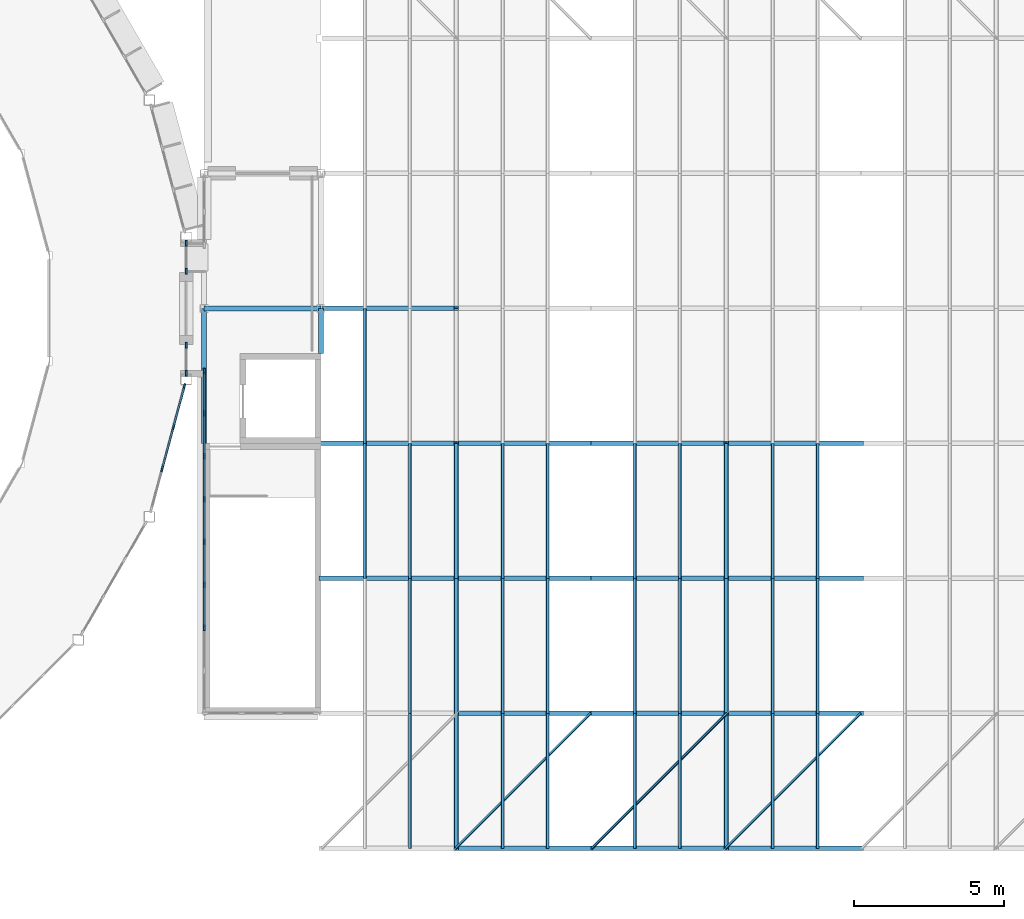
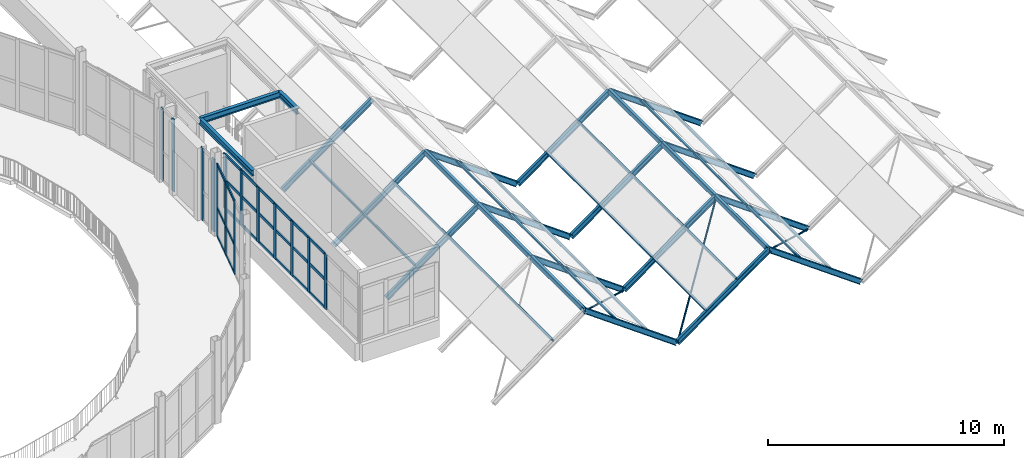
# One storey, part 21 of 74: 70 members, 18 beams, 4 elements without a shape of their own.
"""IFC4 building model written with IfcOpenShell, lengths in metres."""

from ifc_helpers import new_model, si_unit, direction, frame, origin, origin_2d, place, context, subcontext, project, spatial, rectangle, hollow_rectangle, hollow_circle, i_section, extrude, material, layer, layer_set, material_profile, profile_set, type_object, element, aggregate, save


model = new_model("IFC4")

# Units and contexts
model_context = context("Model", 3, precision=1e-05, world=origin(), true_north=direction((0.0, 1.0)))
body_context = subcontext(model_context, "Body", "Model", "MODEL_VIEW")
ifc_project = project(units=[si_unit("LENGTHUNIT", "METRE"), si_unit("AREAUNIT", "SQUARE_METRE"), si_unit("VOLUMEUNIT", "CUBIC_METRE"), si_unit("PLANEANGLEUNIT", "RADIAN"), si_unit("MASSUNIT", "GRAM", prefix="KILO")], contexts=[model_context])

# Site, building, storey
site_placement = place(None, origin())
site = spatial("IfcSite", under=ifc_project, at=site_placement, CompositionType="ELEMENT")
building_placement = place(site_placement, origin())
building = spatial("IfcBuilding", under=site, at=building_placement, Name="Hortulan Conservatory and Botanical Research Centre", CompositionType="ELEMENT")
storey_placement = place(building_placement, frame((0.0, 0.0, 6.0)))
storey = spatial("IfcBuildingStorey", under=building, at=storey_placement, Name="L01", CompositionType="ELEMENT", Elevation=6.0)

# Curtain wall, members
ifc_material_1 = material(Name="Bronze-finished aluminium", Category="aluminium")
ifc_layer = layer(ifc_material_1, 0.10009765625)
ifc_layer_set = layer_set([ifc_layer], Name="Bronze-framed Curtain Wall 1500 module")
curtain_wall_type = type_object("IfcCurtainWallType", Name="Bronze-framed Curtain Wall 1500 module", PredefinedType="NOTDEFINED", material=ifc_layer_set)
curtain_wall_1_placement = place(storey_placement, origin())
curtain_wall_1 = element("IfcCurtainWall", 1, at=curtain_wall_1_placement, inside=storey, type_object=curtain_wall_type, Name="Curtain wall", PredefinedType="NOTDEFINED")
ifc_material_profile_1 = material_profile(ifc_material_1, rectangle(XDim=0.06005859375, YDim=0.199951171875, at=origin_2d()), Name="Bronze Mullion 60x200")
ifc_profile_set_1 = profile_set([ifc_material_profile_1], Name="Bronze-finished aluminium")
member_type_1 = type_object("IfcMemberType", Name="Bronze Mullion 60x200", PredefinedType="MULLION", material=ifc_profile_set_1)
member_1_placement = place(storey_placement, frame((71.936767578125, 15.39404296875, 0.0), z_axis=(0.0, 0.0, 1.0), x_axis=(0.965922372015, -0.258831936284, 0.0)))
member_1 = element("IfcMember", 2, at=member_1_placement, type_object=member_type_1, Name="CW1 mullion 1", PredefinedType="MULLION", context=body_context, shape_type="SweptSolid", body=[
    extrude(rectangle(XDim=0.06005859375, YDim=0.199951171875, at=origin_2d()), origin(), (0.0, 0.0, 1.0), 3.75),
])
member_2_placement = place(storey_placement, frame((71.572509765625, 14.034912109375, 0.0), z_axis=(0.0, 0.0, 1.0), x_axis=(0.965922372015, -0.258831936284, 0.0)))
member_2 = element("IfcMember", 3, at=member_2_placement, type_object=member_type_1, Name="CW1 mullion 2", PredefinedType="MULLION", context=body_context, shape_type="SweptSolid", body=[
    extrude(rectangle(XDim=0.06005859375, YDim=0.199951171875, at=origin_2d()), origin(), (0.0, 0.0, 1.0), 3.75),
])
member_3_placement = place(storey_placement, frame((71.20068359375, 12.64697265625, 0.0), z_axis=(0.0, 0.0, 1.0), x_axis=(0.965922372015, -0.258831936284, 0.0)))
member_3 = element("IfcMember", 4, at=member_3_placement, type_object=member_type_1, Name="CW1 mullion 3", PredefinedType="MULLION", context=body_context, shape_type="SweptSolid", body=[
    extrude(rectangle(XDim=0.06005859375, YDim=0.199951171875, at=origin_2d()), origin(), (0.0, 0.0, 1.0), 3.75),
])

curtain_wall_2_placement = place(storey_placement, origin())
curtain_wall_2 = element("IfcCurtainWall", 5, at=curtain_wall_2_placement, inside=storey, type_object=curtain_wall_type, Name="Curtain wall", PredefinedType="NOTDEFINED")
member_4_placement = place(storey_placement, frame((72.0, 20.1650390625, 0.0), z_axis=(0.0, 0.0, 1.0), x_axis=(1.0, 0.0, 0.0)))
member_4 = element("IfcMember", 6, at=member_4_placement, type_object=member_type_1, Name="CW1 mullion 1", PredefinedType="MULLION", context=body_context, shape_type="SweptSolid", body=[
    extrude(rectangle(XDim=0.06005859375, YDim=0.199951171875, at=origin_2d()), origin(), (0.0, 0.0, 1.0), 3.75),
])
member_5_placement = place(storey_placement, frame((72.0, 19.22998046875, 0.0), z_axis=(0.0, 0.0, 1.0), x_axis=(1.0, 0.0, 0.0)))
member_5 = element("IfcMember", 7, at=member_5_placement, type_object=member_type_1, Name="CW1 mullion 2", PredefinedType="MULLION", context=body_context, shape_type="SweptSolid", body=[
    extrude(rectangle(XDim=0.06005859375, YDim=0.199951171875, at=origin_2d()), origin(), (0.0, 0.0, 1.0), 3.75),
])
aggregate(curtain_wall_2, [member_4, member_5])

curtain_wall_3_placement = place(storey_placement, origin())
curtain_wall_3 = element("IfcCurtainWall", 8, at=curtain_wall_3_placement, inside=storey, type_object=curtain_wall_type, Name="Curtain wall", PredefinedType="NOTDEFINED")
member_6_placement = place(storey_placement, frame((72.0, 16.77001953125, 0.0), z_axis=(0.0, 0.0, 1.0), x_axis=(1.0, 0.0, 0.0)))
member_6 = element("IfcMember", 9, at=member_6_placement, type_object=member_type_1, Name="CW1 mullion 1", PredefinedType="MULLION", context=body_context, shape_type="SweptSolid", body=[
    extrude(rectangle(XDim=0.06005859375, YDim=0.199951171875, at=origin_2d()), origin(), (0.0, 0.0, 1.0), 3.75),
])
member_7_placement = place(storey_placement, frame((72.0, 15.8349609375, 0.0), z_axis=(0.0, 0.0, 1.0), x_axis=(1.0, 0.0, 0.0)))
member_7 = element("IfcMember", 10, at=member_7_placement, type_object=member_type_1, Name="CW1 mullion 2", PredefinedType="MULLION", context=body_context, shape_type="SweptSolid", body=[
    extrude(rectangle(XDim=0.06005859375, YDim=0.199951171875, at=origin_2d()), origin(), (0.0, 0.0, 1.0), 3.75),
])
aggregate(curtain_wall_3, [member_6, member_7])

curtain_wall_4_placement = place(storey_placement, origin())
curtain_wall_4 = element("IfcCurtainWall", 11, at=curtain_wall_4_placement, inside=storey, type_object=curtain_wall_type, Name="Curtain wall", PredefinedType="NOTDEFINED")
member_8_placement = place(storey_placement, frame((72.60009765625, 7.357666015625, 0.89990234375), z_axis=(0.0, 0.0, 1.0), x_axis=(-1.0, 0.0, 0.0)))
member_8 = element("IfcMember", 12, at=member_8_placement, type_object=member_type_1, Name="CW1 mullion 3", PredefinedType="MULLION", context=body_context, shape_type="SweptSolid", body=[
    extrude(rectangle(XDim=0.06005859375, YDim=0.199951171875, at=origin_2d()), origin(), (0.0, 0.0, 1.0), 2.840087890625),
])
member_9_placement = place(storey_placement, frame((72.60009765625, 8.786376953125, 0.89990234375), z_axis=(0.0, 0.0, 1.0), x_axis=(-1.0, 0.0, 0.0)))
member_9 = element("IfcMember", 13, at=member_9_placement, type_object=member_type_1, Name="CW1 mullion 4", PredefinedType="MULLION", context=body_context, shape_type="SweptSolid", body=[
    extrude(rectangle(XDim=0.06005859375, YDim=0.199951171875, at=origin_2d()), origin(), (0.0, 0.0, 1.0), 2.840087890625),
])
member_10_placement = place(storey_placement, frame((72.60009765625, 10.215087890625, 0.89990234375), z_axis=(0.0, 0.0, 1.0), x_axis=(-1.0, 0.0, 0.0)))
member_10 = element("IfcMember", 14, at=member_10_placement, type_object=member_type_1, Name="CW1 mullion 5", PredefinedType="MULLION", context=body_context, shape_type="SweptSolid", body=[
    extrude(rectangle(XDim=0.06005859375, YDim=0.199951171875, at=origin_2d()), origin(), (0.0, 0.0, 1.0), 2.840087890625),
])
member_11_placement = place(storey_placement, frame((72.60009765625, 11.64404296875, 0.89990234375), z_axis=(0.0, 0.0, 1.0), x_axis=(-1.0, 0.0, 0.0)))
member_11 = element("IfcMember", 15, at=member_11_placement, type_object=member_type_1, Name="CW1 mullion 6", PredefinedType="MULLION", context=body_context, shape_type="SweptSolid", body=[
    extrude(rectangle(XDim=0.06005859375, YDim=0.199951171875, at=origin_2d()), origin(), (0.0, 0.0, 1.0), 2.840087890625),
])
member_12_placement = place(storey_placement, frame((72.60009765625, 13.07275390625, 0.89990234375), z_axis=(0.0, 0.0, 1.0), x_axis=(-1.0, 0.0, 0.0)))
member_12 = element("IfcMember", 16, at=member_12_placement, type_object=member_type_1, Name="CW1 mullion 7", PredefinedType="MULLION", context=body_context, shape_type="SweptSolid", body=[
    extrude(rectangle(XDim=0.06005859375, YDim=0.199951171875, at=origin_2d()), origin(), (0.0, 0.0, 1.0), 2.840087890625),
])
member_13_placement = place(storey_placement, frame((72.60009765625, 14.50146484375, 0.89990234375), z_axis=(0.0, 0.0, 1.0), x_axis=(-1.0, 0.0, 0.0)))
member_13 = element("IfcMember", 17, at=member_13_placement, type_object=member_type_1, Name="CW1 mullion 8", PredefinedType="MULLION", context=body_context, shape_type="SweptSolid", body=[
    extrude(rectangle(XDim=0.06005859375, YDim=0.199951171875, at=origin_2d()), origin(), (0.0, 0.0, 1.0), 2.840087890625),
])
member_14_placement = place(storey_placement, frame((72.60009765625, 15.900390625, 0.89990234375), z_axis=(0.0, 0.0, 1.0), x_axis=(-1.0, 0.0, 0.0)))
member_14 = element("IfcMember", 18, at=member_14_placement, type_object=member_type_1, Name="CW1 mullion 9", PredefinedType="MULLION", context=body_context, shape_type="SweptSolid", body=[
    extrude(rectangle(XDim=0.06005859375, YDim=0.199951171875, at=origin_2d()), origin(), (0.0, 0.0, 1.0), 2.840087890625),
])

# Member
ifc_material_profile_2 = material_profile(ifc_material_1, rectangle(XDim=0.06005859375, YDim=0.14990234375, at=origin_2d()), Name="Bronze Transom 60x150")
ifc_profile_set_2 = profile_set([ifc_material_profile_2], Name="Bronze-finished aluminium")
member_type_2 = type_object("IfcMemberType", Name="Bronze Transom 60x150", PredefinedType="USERDEFINED", material=ifc_profile_set_2)
member_15_placement = place(storey_placement, frame((71.928955078125, 15.364990234375, 0.030029296875), z_axis=(-0.258835745824, -0.965921351189, 0.0), x_axis=(0.965921351189, -0.258835745824, 0.0)))
member_15 = element("IfcMember", 19, at=member_15_placement, type_object=member_type_2, Name="CW1 transom 1.1", ObjectType="TRANSOM", PredefinedType="USERDEFINED", context=body_context, shape_type="SweptSolid", body=[
    extrude(rectangle(XDim=0.06005859375, YDim=0.14990234375, at=origin_2d()), origin(), (0.0, 0.0, 1.0), 1.346923828125),
])

member_16_placement = place(storey_placement, frame((71.928955078125, 15.364990234375, 1.5), z_axis=(-0.258835745824, -0.965921351189, 0.0), x_axis=(0.965921351189, -0.258835745824, 0.0)))
member_16 = element("IfcMember", 20, at=member_16_placement, type_object=member_type_2, Name="CW1 transom 1.2", ObjectType="TRANSOM", PredefinedType="USERDEFINED", context=body_context, shape_type="SweptSolid", body=[
    extrude(rectangle(XDim=0.06005859375, YDim=0.14990234375, at=origin_2d()), origin(), (0.0, 0.0, 1.0), 1.346923828125),
])

member_17_placement = place(storey_placement, frame((71.928955078125, 15.364990234375, 3.719970703125), z_axis=(-0.258835745824, -0.965921351189, 0.0), x_axis=(0.965921351189, -0.258835745824, 0.0)))
member_17 = element("IfcMember", 21, at=member_17_placement, type_object=member_type_2, Name="CW1 transom 1.3", ObjectType="TRANSOM", PredefinedType="USERDEFINED", context=body_context, shape_type="SweptSolid", body=[
    extrude(rectangle(XDim=0.06005859375, YDim=0.14990234375, at=origin_2d()), origin(), (0.0, 0.0, 1.0), 1.346923828125),
])

member_18_placement = place(storey_placement, frame((71.564697265625, 14.006103515625, 0.030029296875), z_axis=(-0.258688817498, -0.965960711262, 0.0), x_axis=(0.965960711262, -0.258688817498, 0.0)))
member_18 = element("IfcMember", 22, at=member_18_placement, type_object=member_type_2, Name="CW1 transom 2.1", ObjectType="TRANSOM", PredefinedType="USERDEFINED", context=body_context, shape_type="SweptSolid", body=[
    extrude(rectangle(XDim=0.06005859375, YDim=0.14990234375, at=origin_2d()), origin(), (0.0, 0.0, 1.0), 1.376953125),
])

member_19_placement = place(storey_placement, frame((71.564697265625, 14.006103515625, 1.5), z_axis=(-0.258688817498, -0.965960711262, 0.0), x_axis=(0.965960711262, -0.258688817498, 0.0)))
member_19 = element("IfcMember", 23, at=member_19_placement, type_object=member_type_2, Name="CW1 transom 2.2", ObjectType="TRANSOM", PredefinedType="USERDEFINED", context=body_context, shape_type="SweptSolid", body=[
    extrude(rectangle(XDim=0.06005859375, YDim=0.14990234375, at=origin_2d()), origin(), (0.0, 0.0, 1.0), 1.376953125),
])

member_20_placement = place(storey_placement, frame((71.564697265625, 14.006103515625, 3.719970703125), z_axis=(-0.258688817498, -0.965960711262, 0.0), x_axis=(0.965960711262, -0.258688817498, 0.0)))
member_20 = element("IfcMember", 24, at=member_20_placement, type_object=member_type_2, Name="CW1 transom 2.3", ObjectType="TRANSOM", PredefinedType="USERDEFINED", context=body_context, shape_type="SweptSolid", body=[
    extrude(rectangle(XDim=0.06005859375, YDim=0.14990234375, at=origin_2d()), origin(), (0.0, 0.0, 1.0), 1.376953125),
])

aggregate(curtain_wall_1, [member_1, member_2, member_3, member_15, member_16, member_17, member_18, member_19, member_20])

member_21_placement = place(storey_placement, frame((72.60009765625, 7.3876953125, 0.929931640625), z_axis=(0.0, 1.0, 0.0), x_axis=(-1.0, 0.0, 0.0)))
member_21 = element("IfcMember", 25, at=member_21_placement, type_object=member_type_2, Name="CW1 transom 3.1", ObjectType="TRANSOM", PredefinedType="USERDEFINED", context=body_context, shape_type="SweptSolid", body=[
    extrude(rectangle(XDim=0.06005859375, YDim=0.14990234375, at=origin_2d()), origin(), (0.0, 0.0, 1.0), 1.36865234375),
])

member_22_placement = place(storey_placement, frame((72.60009765625, 7.3876953125, 2.39990234375), z_axis=(0.0, 1.0, 0.0), x_axis=(-1.0, 0.0, 0.0)))
member_22 = element("IfcMember", 26, at=member_22_placement, type_object=member_type_2, Name="CW1 transom 3.2", ObjectType="TRANSOM", PredefinedType="USERDEFINED", context=body_context, shape_type="SweptSolid", body=[
    extrude(rectangle(XDim=0.06005859375, YDim=0.14990234375, at=origin_2d()), origin(), (0.0, 0.0, 1.0), 1.36865234375),
])

member_23_placement = place(storey_placement, frame((72.60009765625, 7.3876953125, 3.7099609375), z_axis=(0.0, 1.0, 0.0), x_axis=(-1.0, 0.0, 0.0)))
member_23 = element("IfcMember", 27, at=member_23_placement, type_object=member_type_2, Name="CW1 transom 3.3", ObjectType="TRANSOM", PredefinedType="USERDEFINED", context=body_context, shape_type="SweptSolid", body=[
    extrude(rectangle(XDim=0.06005859375, YDim=0.14990234375, at=origin_2d()), origin(), (0.0, 0.0, 1.0), 1.36865234375),
])

member_24_placement = place(storey_placement, frame((72.60009765625, 8.81640625, 0.929931640625), z_axis=(0.0, 1.0, 0.0), x_axis=(-1.0, 0.0, 0.0)))
member_24 = element("IfcMember", 28, at=member_24_placement, type_object=member_type_2, Name="CW1 transom 4.1", ObjectType="TRANSOM", PredefinedType="USERDEFINED", context=body_context, shape_type="SweptSolid", body=[
    extrude(rectangle(XDim=0.06005859375, YDim=0.14990234375, at=origin_2d()), origin(), (0.0, 0.0, 1.0), 1.36865234375),
])

member_25_placement = place(storey_placement, frame((72.60009765625, 8.81640625, 2.39990234375), z_axis=(0.0, 1.0, 0.0), x_axis=(-1.0, 0.0, 0.0)))
member_25 = element("IfcMember", 29, at=member_25_placement, type_object=member_type_2, Name="CW1 transom 4.2", ObjectType="TRANSOM", PredefinedType="USERDEFINED", context=body_context, shape_type="SweptSolid", body=[
    extrude(rectangle(XDim=0.06005859375, YDim=0.14990234375, at=origin_2d()), origin(), (0.0, 0.0, 1.0), 1.36865234375),
])

member_26_placement = place(storey_placement, frame((72.60009765625, 8.81640625, 3.7099609375), z_axis=(0.0, 1.0, 0.0), x_axis=(-1.0, 0.0, 0.0)))
member_26 = element("IfcMember", 30, at=member_26_placement, type_object=member_type_2, Name="CW1 transom 4.3", ObjectType="TRANSOM", PredefinedType="USERDEFINED", context=body_context, shape_type="SweptSolid", body=[
    extrude(rectangle(XDim=0.06005859375, YDim=0.14990234375, at=origin_2d()), origin(), (0.0, 0.0, 1.0), 1.36865234375),
])

member_27_placement = place(storey_placement, frame((72.60009765625, 10.2451171875, 0.929931640625), z_axis=(0.0, 1.0, 0.0), x_axis=(-1.0, 0.0, 0.0)))
member_27 = element("IfcMember", 31, at=member_27_placement, type_object=member_type_2, Name="CW1 transom 5.1", ObjectType="TRANSOM", PredefinedType="USERDEFINED", context=body_context, shape_type="SweptSolid", body=[
    extrude(rectangle(XDim=0.06005859375, YDim=0.14990234375, at=origin_2d()), origin(), (0.0, 0.0, 1.0), 1.368896484375),
])

member_28_placement = place(storey_placement, frame((72.60009765625, 10.2451171875, 2.39990234375), z_axis=(0.0, 1.0, 0.0), x_axis=(-1.0, 0.0, 0.0)))
member_28 = element("IfcMember", 32, at=member_28_placement, type_object=member_type_2, Name="CW1 transom 5.2", ObjectType="TRANSOM", PredefinedType="USERDEFINED", context=body_context, shape_type="SweptSolid", body=[
    extrude(rectangle(XDim=0.06005859375, YDim=0.14990234375, at=origin_2d()), origin(), (0.0, 0.0, 1.0), 1.368896484375),
])

member_29_placement = place(storey_placement, frame((72.60009765625, 10.2451171875, 3.7099609375), z_axis=(0.0, 1.0, 0.0), x_axis=(-1.0, 0.0, 0.0)))
member_29 = element("IfcMember", 33, at=member_29_placement, type_object=member_type_2, Name="CW1 transom 5.3", ObjectType="TRANSOM", PredefinedType="USERDEFINED", context=body_context, shape_type="SweptSolid", body=[
    extrude(rectangle(XDim=0.06005859375, YDim=0.14990234375, at=origin_2d()), origin(), (0.0, 0.0, 1.0), 1.368896484375),
])

member_30_placement = place(storey_placement, frame((72.60009765625, 11.673828125, 0.929931640625), z_axis=(0.0, 1.0, 0.0), x_axis=(-1.0, 0.0, 0.0)))
member_30 = element("IfcMember", 34, at=member_30_placement, type_object=member_type_2, Name="CW1 transom 6.1", ObjectType="TRANSOM", PredefinedType="USERDEFINED", context=body_context, shape_type="SweptSolid", body=[
    extrude(rectangle(XDim=0.06005859375, YDim=0.14990234375, at=origin_2d()), origin(), (0.0, 0.0, 1.0), 1.368896484375),
])

member_31_placement = place(storey_placement, frame((72.60009765625, 11.673828125, 2.39990234375), z_axis=(0.0, 1.0, 0.0), x_axis=(-1.0, 0.0, 0.0)))
member_31 = element("IfcMember", 35, at=member_31_placement, type_object=member_type_2, Name="CW1 transom 6.2", ObjectType="TRANSOM", PredefinedType="USERDEFINED", context=body_context, shape_type="SweptSolid", body=[
    extrude(rectangle(XDim=0.06005859375, YDim=0.14990234375, at=origin_2d()), origin(), (0.0, 0.0, 1.0), 1.368896484375),
])

member_32_placement = place(storey_placement, frame((72.60009765625, 11.673828125, 3.7099609375), z_axis=(0.0, 1.0, 0.0), x_axis=(-1.0, 0.0, 0.0)))
member_32 = element("IfcMember", 36, at=member_32_placement, type_object=member_type_2, Name="CW1 transom 6.3", ObjectType="TRANSOM", PredefinedType="USERDEFINED", context=body_context, shape_type="SweptSolid", body=[
    extrude(rectangle(XDim=0.06005859375, YDim=0.14990234375, at=origin_2d()), origin(), (0.0, 0.0, 1.0), 1.368896484375),
])

member_33_placement = place(storey_placement, frame((72.60009765625, 13.102783203125, 0.929931640625), z_axis=(0.0, 1.0, 0.0), x_axis=(-1.0, 0.0, 0.0)))
member_33 = element("IfcMember", 37, at=member_33_placement, type_object=member_type_2, Name="CW1 transom 7.1", ObjectType="TRANSOM", PredefinedType="USERDEFINED", context=body_context, shape_type="SweptSolid", body=[
    extrude(rectangle(XDim=0.06005859375, YDim=0.14990234375, at=origin_2d()), origin(), (0.0, 0.0, 1.0), 1.36865234375),
])

member_34_placement = place(storey_placement, frame((72.60009765625, 13.102783203125, 2.39990234375), z_axis=(0.0, 1.0, 0.0), x_axis=(-1.0, 0.0, 0.0)))
member_34 = element("IfcMember", 38, at=member_34_placement, type_object=member_type_2, Name="CW1 transom 7.2", ObjectType="TRANSOM", PredefinedType="USERDEFINED", context=body_context, shape_type="SweptSolid", body=[
    extrude(rectangle(XDim=0.06005859375, YDim=0.14990234375, at=origin_2d()), origin(), (0.0, 0.0, 1.0), 1.36865234375),
])

member_35_placement = place(storey_placement, frame((72.60009765625, 13.102783203125, 3.7099609375), z_axis=(0.0, 1.0, 0.0), x_axis=(-1.0, 0.0, 0.0)))
member_35 = element("IfcMember", 39, at=member_35_placement, type_object=member_type_2, Name="CW1 transom 7.3", ObjectType="TRANSOM", PredefinedType="USERDEFINED", context=body_context, shape_type="SweptSolid", body=[
    extrude(rectangle(XDim=0.06005859375, YDim=0.14990234375, at=origin_2d()), origin(), (0.0, 0.0, 1.0), 1.36865234375),
])

member_36_placement = place(storey_placement, frame((72.60009765625, 14.531494140625, 0.929931640625), z_axis=(0.0, 1.0, 0.0), x_axis=(-1.0, 0.0, 0.0)))
member_36 = element("IfcMember", 40, at=member_36_placement, type_object=member_type_2, Name="CW1 transom 8.1", ObjectType="TRANSOM", PredefinedType="USERDEFINED", context=body_context, shape_type="SweptSolid", body=[
    extrude(rectangle(XDim=0.06005859375, YDim=0.14990234375, at=origin_2d()), origin(), (0.0, 0.0, 1.0), 1.3388671875),
])

member_37_placement = place(storey_placement, frame((72.60009765625, 14.531494140625, 2.39990234375), z_axis=(0.0, 1.0, 0.0), x_axis=(-1.0, 0.0, 0.0)))
member_37 = element("IfcMember", 41, at=member_37_placement, type_object=member_type_2, Name="CW1 transom 8.2", ObjectType="TRANSOM", PredefinedType="USERDEFINED", context=body_context, shape_type="SweptSolid", body=[
    extrude(rectangle(XDim=0.06005859375, YDim=0.14990234375, at=origin_2d()), origin(), (0.0, 0.0, 1.0), 1.3388671875),
])

member_38_placement = place(storey_placement, frame((72.60009765625, 14.531494140625, 3.7099609375), z_axis=(0.0, 1.0, 0.0), x_axis=(-1.0, 0.0, 0.0)))
member_38 = element("IfcMember", 42, at=member_38_placement, type_object=member_type_2, Name="CW1 transom 8.3", ObjectType="TRANSOM", PredefinedType="USERDEFINED", context=body_context, shape_type="SweptSolid", body=[
    extrude(rectangle(XDim=0.06005859375, YDim=0.14990234375, at=origin_2d()), origin(), (0.0, 0.0, 1.0), 1.3388671875),
])

aggregate(curtain_wall_4, [member_8, member_9, member_10, member_11, member_12, member_13, member_14, member_21, member_22, member_23, member_24, member_25, member_26, member_27, member_28, member_29, member_30, member_31, member_32, member_33, member_34, member_35, member_36, member_37, member_38])

# Members
ifc_material_2 = material(Name="Steel Grade C350L0 (350 MPa, AS/NZS 1163)", Category="steel")
ifc_material_profile_3 = material_profile(ifc_material_2, hollow_circle(Radius=0.04443359375, WallThickness=0.005859375, at=origin_2d()), Name="88.9x5.9CHS")
ifc_profile_set_3 = profile_set([ifc_material_profile_3], Name="Steel Grade C350L0 (350 MPa, AS/NZS 1163)")
member_type_3 = type_object("IfcMemberType", Name="Climate House Bracing 88.9x5.9 CHS", PredefinedType="BRACE", material=ifc_profile_set_3)
for number, where, z_axis, x_axis, name in (
    (43, (85.4765625, 4.5, -0.928955078125), (-0.630092382257, -0.630092382257, 0.453836071335), (0.707106781187, -0.707106781187, 0.0), "Temperate Glasshouse roof bracing E end bay 1"),
    (44, (85.5234375, 0.0, -0.928955078125), (0.630092382257, 0.630092382257, 0.453836071335), (-0.707106781187, 0.707106781187, 0.0), "Arid Glasshouse roof bracing W end bay 1"),
    (45, (94.4765625, 4.5, -0.928955078125), (-0.630092382257, -0.630092382257, 0.453836071335), (0.707106781187, -0.707106781187, 0.0), "Arid Glasshouse roof bracing E end bay 1"),
):
    element("IfcMember", number, at=place(storey_placement, frame(where, z_axis=z_axis, x_axis=x_axis)), inside=storey, type_object=member_type_3, Name=name, PredefinedType="BRACE", context=body_context, shape_type="SweptSolid", body=[
        extrude(hollow_circle(Radius=0.04443359375, WallThickness=0.005859375, at=origin_2d()), origin(), (0.0, 0.0, 1.0), 7.141845703125),
    ])
ifc_material_3 = material(Name="Steel Grade C450L0 (450 MPa, AS/NZS 1163)", Category="steel")
ifc_material_profile_4 = material_profile(ifc_material_3, hollow_rectangle(XDim=0.10009765625, YDim=0.10009765625, WallThickness=0.006103515625, InnerFilletRadius=0.009033203125, OuterFilletRadius=0.014892578125, at=origin_2d()), Name="100x100x6SHS")
ifc_profile_set_4 = profile_set([ifc_material_profile_4], Name="Steel Grade C450L0 (450 MPa, AS/NZS 1163)")
member_type_4 = type_object("IfcMemberType", Name="Climate House Purlin 100x100x6 SHS", PredefinedType="PURLIN", material=ifc_profile_set_4)
for number, where, z_axis, x_axis, name in (
    (46, (77.95556640625, 9.0, 0.24560546875), (0.0, 1.0, 0.0), (-1.0, 0.0, 0.0), "Temperate Glasshouse purlin W1 bay 3"),
    (47, (77.95556640625, 13.5, 0.24560546875), (0.0, 1.0, 0.0), (-1.0, 0.0, 0.0), "Temperate Glasshouse purlin W1 bay 4"),
    (48, (79.45556640625, 0.0, 1.325927734375), (0.0, 1.0, 0.0), (-1.0, 0.0, 0.0), "Temperate Glasshouse purlin W2 bay 1"),
    (49, (79.45556640625, 4.5, 1.325927734375), (0.0, 1.0, 0.0), (-1.0, 0.0, 0.0), "Temperate Glasshouse purlin W2 bay 2"),
    (50, (79.45556640625, 9.0, 1.325927734375), (0.0, 1.0, 0.0), (-1.0, 0.0, 0.0), "Temperate Glasshouse purlin W2 bay 3"),
    (51, (84.04443359375, 0.0, 0.24560546875), (0.0, 1.0, 0.0), (-1.0, 0.0, 0.0), "Temperate Glasshouse purlin E1 bay 1"),
    (52, (84.04443359375, 4.5, 0.24560546875), (0.0, 1.0, 0.0), (-1.0, 0.0, 0.0), "Temperate Glasshouse purlin E1 bay 2"),
    (53, (84.04443359375, 9.0, 0.24560546875), (0.0, 1.0, 0.0), (-1.0, 0.0, 0.0), "Temperate Glasshouse purlin E1 bay 3"),
    (54, (82.54443359375, 0.0, 1.325927734375), (0.0, 1.0, 0.0), (-1.0, 0.0, 0.0), "Temperate Glasshouse purlin E2 bay 1"),
    (55, (82.54443359375, 4.5, 1.325927734375), (0.0, 1.0, 0.0), (-1.0, 0.0, 0.0), "Temperate Glasshouse purlin E2 bay 2"),
    (56, (82.54443359375, 9.0, 1.325927734375), (0.0, 1.0, 0.0), (-1.0, 0.0, 0.0), "Temperate Glasshouse purlin E2 bay 3"),
    (57, (86.95556640625, 0.0, 0.24560546875), (0.0, 1.0, 0.0), (-1.0, 0.0, 0.0), "Arid Glasshouse purlin W1 bay 1"),
    (58, (86.95556640625, 4.5, 0.24560546875), (0.0, 1.0, 0.0), (-1.0, 0.0, 0.0), "Arid Glasshouse purlin W1 bay 2"),
    (59, (86.95556640625, 9.0, 0.24560546875), (0.0, 1.0, 0.0), (-1.0, 0.0, 0.0), "Arid Glasshouse purlin W1 bay 3"),
    (60, (88.45556640625, 0.0, 1.325927734375), (0.0, 1.0, 0.0), (-1.0, 0.0, 0.0), "Arid Glasshouse purlin W2 bay 1"),
    (61, (88.45556640625, 4.5, 1.325927734375), (0.0, 1.0, 0.0), (-1.0, 0.0, 0.0), "Arid Glasshouse purlin W2 bay 2"),
    (62, (88.45556640625, 9.0, 1.325927734375), (0.0, 1.0, 0.0), (-1.0, 0.0, 0.0), "Arid Glasshouse purlin W2 bay 3"),
    (63, (93.04443359375, 0.0, 0.24560546875), (0.0, 1.0, 0.0), (-1.0, 0.0, 0.0), "Arid Glasshouse purlin E1 bay 1"),
    (64, (93.04443359375, 4.5, 0.24560546875), (0.0, 1.0, 0.0), (-1.0, 0.0, 0.0), "Arid Glasshouse purlin E1 bay 2"),
    (65, (93.04443359375, 9.0, 0.24560546875), (0.0, 1.0, 0.0), (-1.0, 0.0, 0.0), "Arid Glasshouse purlin E1 bay 3"),
    (66, (91.54443359375, 0.0, 1.325927734375), (0.0, 1.0, 0.0), (-1.0, 0.0, 0.0), "Arid Glasshouse purlin E2 bay 1"),
    (67, (91.54443359375, 4.5, 1.325927734375), (0.0, 1.0, 0.0), (-1.0, 0.0, 0.0), "Arid Glasshouse purlin E2 bay 2"),
    (68, (91.54443359375, 9.0, 1.325927734375), (0.0, 1.0, 0.0), (-1.0, 0.0, 0.0), "Arid Glasshouse purlin E2 bay 3"),
):
    element("IfcMember", number, at=place(storey_placement, frame(where, z_axis=z_axis, x_axis=x_axis)), inside=storey, type_object=member_type_4, Name=name, PredefinedType="PURLIN", context=body_context, shape_type="SweptSolid", body=[
        extrude(hollow_rectangle(XDim=0.10009765625, YDim=0.10009765625, WallThickness=0.006103515625, InnerFilletRadius=0.009033203125, OuterFilletRadius=0.014892578125, at=origin_2d()), origin(), (0.0, 0.0, 1.0), 4.5),
    ])

# Beams
ifc_material_4 = material(Name="Steel Grade 300PLUS (AS/NZS 3679.1, 280 MPa minimum yield)", Category="steel")
ifc_material_profile_5 = material_profile(ifc_material_4, i_section(OverallWidth=0.14599609375, OverallDepth=0.251953125, WebThickness=0.006103515625, FlangeThickness=0.008544921875, FilletRadius=0.0087890625, at=origin_2d()), Name="250UB31.4")
ifc_profile_set_5 = profile_set([ifc_material_profile_5], Name="Steel Grade 300PLUS (AS/NZS 3679.1, 280 MPa minimum yield)")
beam_type_1 = type_object("IfcBeamType", Name="Climate House Rafter 250UB31.4", PredefinedType="BEAM", material=ifc_profile_set_5)
for number, where, z_axis, x_axis, name in (
    (69, (85.5, 0.0, -0.896484375), (-0.811430788987, 0.0, 0.584448521842), (0.0, -1.0, 0.0), "Temperate Glasshouse rafter east frame 1"),
    (70, (85.5, 4.5, -0.896484375), (-0.811430788987, 0.0, 0.584448521842), (0.0, -1.0, 0.0), "Temperate Glasshouse rafter east frame 2"),
    (71, (76.5, 9.0, -0.896484375), (0.811430788987, 0.0, 0.584448521842), (0.0, 1.0, 0.0), "Temperate Glasshouse rafter west frame 3"),
    (72, (85.5, 9.0, -0.896484375), (-0.811430788987, 0.0, 0.584448521842), (0.0, -1.0, 0.0), "Temperate Glasshouse rafter east frame 3"),
    (73, (76.5, 13.5, -0.896484375), (0.811430788987, 0.0, 0.584448521842), (0.0, 1.0, 0.0), "Temperate Glasshouse rafter west frame 4"),
    (74, (85.5, 13.5, -0.896484375), (-0.811430788987, 0.0, 0.584448521842), (0.0, -1.0, 0.0), "Temperate Glasshouse rafter east frame 4"),
):
    element("IfcBeam", number, at=place(storey_placement, frame(where, z_axis=z_axis, x_axis=x_axis)), inside=storey, type_object=beam_type_1, Name=name, PredefinedType="BEAM", context=body_context, shape_type="SweptSolid", body=[
        extrude(i_section(OverallWidth=0.14599609375, OverallDepth=0.251953125, WebThickness=0.006103515625, FlangeThickness=0.008544921875, FilletRadius=0.0087890625, at=origin_2d()), origin(), (0.0, 0.0, 1.0), 5.545654296875),
    ])
beam_1_placement = place(storey_placement, frame((76.625, 18.0, -0.806396484375), z_axis=(0.811435560969, 0.0, 0.584441896508), x_axis=(0.0, 1.0, 0.0)))
element("IfcBeam", 75, at=beam_1_placement, inside=storey, type_object=beam_type_1, Name="Temperate Glasshouse rafter west frame 5", PredefinedType="BEAM", context=body_context, shape_type="SweptSolid", body=[
    extrude(i_section(OverallWidth=0.14599609375, OverallDepth=0.251953125, WebThickness=0.006103515625, FlangeThickness=0.008544921875, FilletRadius=0.0087890625, at=origin_2d()), origin(), (0.0, 0.0, 1.0), 5.3916015625),
])
for number, where, z_axis, x_axis, name in (
    (76, (85.5, 0.0, -0.896484375), (0.811430788987, 0.0, 0.584448521842), (0.0, 1.0, 0.0), "Arid Glasshouse rafter west frame 1"),
    (77, (94.5, 0.0, -0.896484375), (-0.811430788987, 0.0, 0.584448521842), (0.0, -1.0, 0.0), "Arid Glasshouse rafter east frame 1"),
    (78, (85.5, 4.5, -0.896484375), (0.811430788987, 0.0, 0.584448521842), (0.0, 1.0, 0.0), "Arid Glasshouse rafter west frame 2"),
    (79, (94.5, 4.5, -0.896484375), (-0.811430788987, 0.0, 0.584448521842), (0.0, -1.0, 0.0), "Arid Glasshouse rafter east frame 2"),
    (80, (85.5, 9.0, -0.896484375), (0.811430788987, 0.0, 0.584448521842), (0.0, 1.0, 0.0), "Arid Glasshouse rafter west frame 3"),
    (81, (94.5, 9.0, -0.896484375), (-0.811430788987, 0.0, 0.584448521842), (0.0, -1.0, 0.0), "Arid Glasshouse rafter east frame 3"),
    (82, (85.5, 13.5, -0.896484375), (0.811430788987, 0.0, 0.584448521842), (0.0, 1.0, 0.0), "Arid Glasshouse rafter west frame 4"),
    (83, (94.5, 13.5, -0.896484375), (-0.811430788987, 0.0, 0.584448521842), (0.0, -1.0, 0.0), "Arid Glasshouse rafter east frame 4"),
):
    element("IfcBeam", number, at=place(storey_placement, frame(where, z_axis=z_axis, x_axis=x_axis)), inside=storey, type_object=beam_type_1, Name=name, PredefinedType="BEAM", context=body_context, shape_type="SweptSolid", body=[
        extrude(i_section(OverallWidth=0.14599609375, OverallDepth=0.251953125, WebThickness=0.006103515625, FlangeThickness=0.008544921875, FilletRadius=0.0087890625, at=origin_2d()), origin(), (0.0, 0.0, 1.0), 5.545654296875),
    ])

# Members
ifc_material_profile_6 = material_profile(ifc_material_3, hollow_rectangle(XDim=0.14990234375, YDim=0.25, WallThickness=0.009033203125, InnerFilletRadius=0.013427734375, OuterFilletRadius=0.0224609375, at=origin_2d()), Name="250x150x9RHS")
ifc_profile_set_6 = profile_set([ifc_material_profile_6], Name="Steel Grade C450L0 (450 MPa, AS/NZS 1163)")
member_type_5 = type_object("IfcMemberType", Name="Climate House Ridge Member 250x150x9 RHS", PredefinedType="MEMBER", material=ifc_profile_set_6)
for number, where, z_axis, x_axis, name in (
    (84, (81.0, 0.0, 2.3447265625), (0.0, 1.0, 0.0), (-1.0, 0.0, 0.0), "Temperate Glasshouse ridge bay 1"),
    (85, (81.0, 4.5, 2.3447265625), (0.0, 1.0, 0.0), (-1.0, 0.0, 0.0), "Temperate Glasshouse ridge bay 2"),
    (86, (81.0, 9.0, 2.3447265625), (0.0, 1.0, 0.0), (-1.0, 0.0, 0.0), "Temperate Glasshouse ridge bay 3"),
    (87, (90.0, 0.0, 2.3447265625), (0.0, 1.0, 0.0), (-1.0, 0.0, 0.0), "Arid Glasshouse ridge bay 1"),
    (88, (90.0, 4.5, 2.3447265625), (0.0, 1.0, 0.0), (-1.0, 0.0, 0.0), "Arid Glasshouse ridge bay 2"),
    (89, (90.0, 9.0, 2.3447265625), (0.0, 1.0, 0.0), (-1.0, 0.0, 0.0), "Arid Glasshouse ridge bay 3"),
):
    element("IfcMember", number, at=place(storey_placement, frame(where, z_axis=z_axis, x_axis=x_axis)), inside=storey, type_object=member_type_5, Name=name, PredefinedType="MEMBER", context=body_context, shape_type="SweptSolid", body=[
        extrude(hollow_rectangle(XDim=0.14990234375, YDim=0.25, WallThickness=0.009033203125, InnerFilletRadius=0.013427734375, OuterFilletRadius=0.0224609375, at=origin_2d()), origin(), (0.0, 0.0, 1.0), 4.5),
    ])

# Beams
ifc_material_profile_7 = material_profile(ifc_material_4, i_section(OverallWidth=0.1650390625, OverallDepth=0.303955078125, WebThickness=0.006103515625, FlangeThickness=0.01025390625, FilletRadius=0.011474609375, at=origin_2d()), Name="310UB40.4")
ifc_profile_set_7 = profile_set([ifc_material_profile_7], Name="Steel Grade 300PLUS (AS/NZS 3679.1, 280 MPa minimum yield)")
beam_type_2 = type_object("IfcBeamType", Name="Head Link Beam 310UB40.4", PredefinedType="BEAM", material=ifc_profile_set_7)
beam_2_placement = place(storey_placement, frame((72.60009765625, 18.0, 4.197998046875), z_axis=(1.0, 0.0, 0.0), x_axis=(0.0, 1.0, 0.0)))
element("IfcBeam", 90, at=beam_2_placement, inside=storey, type_object=beam_type_2, Name="HE roof beam 2", PredefinedType="BEAM", context=body_context, shape_type="SweptSolid", body=[
    extrude(i_section(OverallWidth=0.1650390625, OverallDepth=0.303955078125, WebThickness=0.006103515625, FlangeThickness=0.01025390625, FilletRadius=0.011474609375, at=origin_2d()), origin(), (0.0, 0.0, 1.0), 3.89990234375),
])
beam_3_placement = place(storey_placement, frame((76.5, 16.5, 4.197998046875), z_axis=(0.0, 1.0, 0.0), x_axis=(-1.0, 0.0, 0.0)))
element("IfcBeam", 91, at=beam_3_placement, inside=storey, type_object=beam_type_2, Name="HE roof beam 3", PredefinedType="BEAM", context=body_context, shape_type="SweptSolid", body=[
    extrude(i_section(OverallWidth=0.1650390625, OverallDepth=0.303955078125, WebThickness=0.006103515625, FlangeThickness=0.01025390625, FilletRadius=0.011474609375, at=origin_2d()), origin(), (0.0, 0.0, 1.0), 1.5),
])
beam_4_placement = place(storey_placement, frame((72.60009765625, 13.5, 4.197998046875), z_axis=(0.0, 1.0, 0.0), x_axis=(-1.0, 0.0, 0.0)))
element("IfcBeam", 92, at=beam_4_placement, inside=storey, type_object=beam_type_2, Name="HE roof beam 5", PredefinedType="BEAM", context=body_context, shape_type="SweptSolid", body=[
    extrude(i_section(OverallWidth=0.1650390625, OverallDepth=0.303955078125, WebThickness=0.006103515625, FlangeThickness=0.01025390625, FilletRadius=0.011474609375, at=origin_2d()), origin(), (0.0, 0.0, 1.0), 4.5),
])

save(model, "model.ifc")
